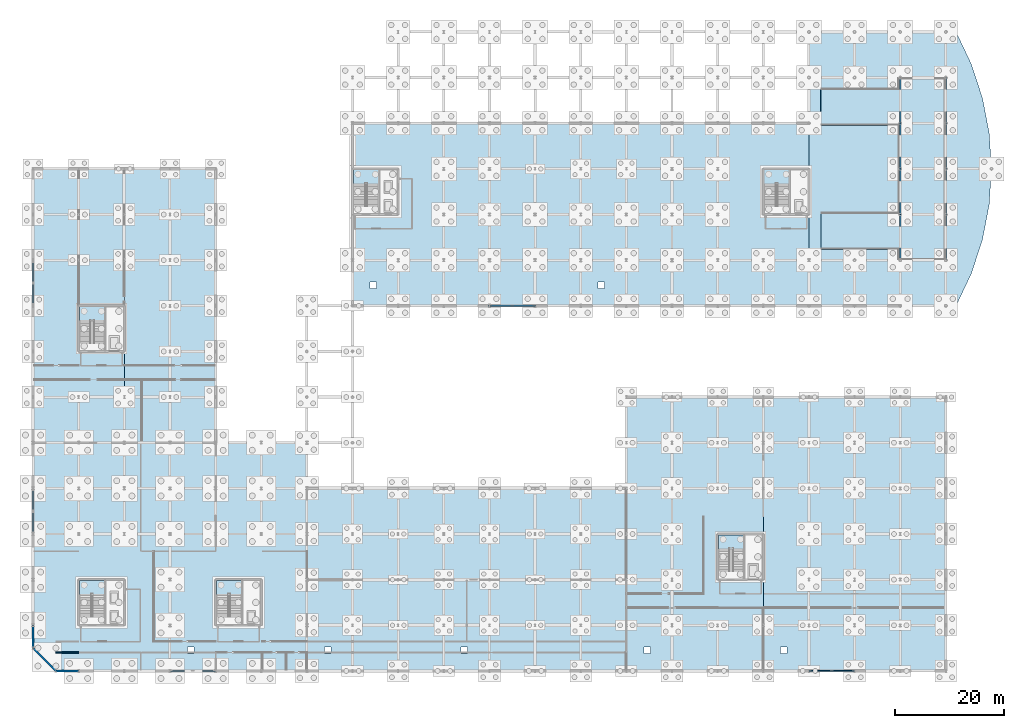
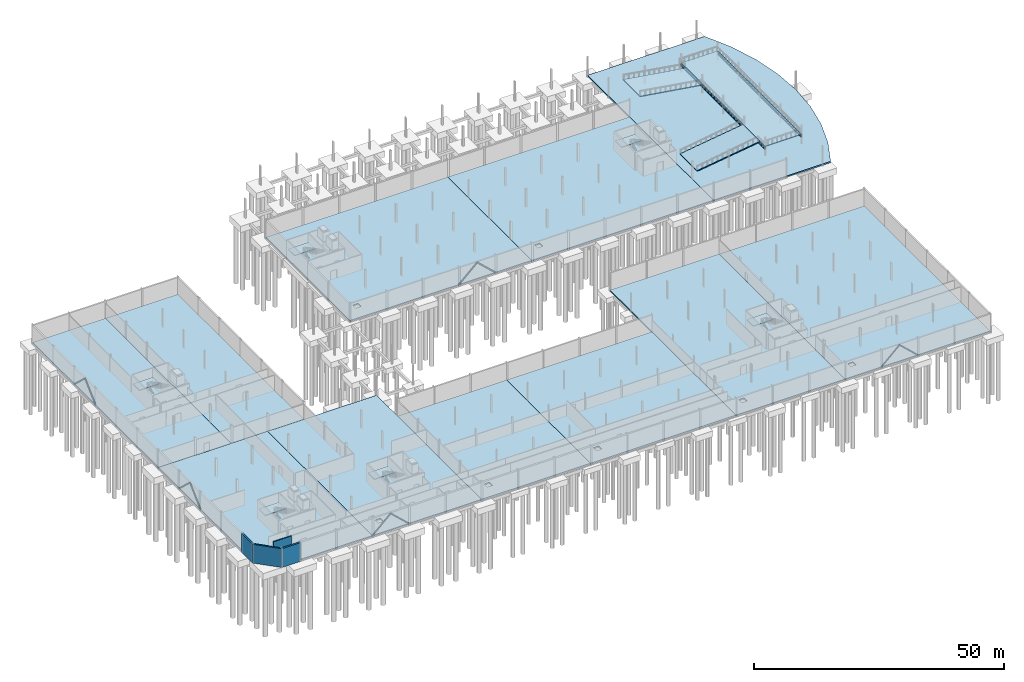
# One storey, part 30 of 51: 20 slabs, 10 members, 8 beams, 4 walls, 6 elements without a shape of their own.
"""IFC4 building model written with IfcOpenShell, lengths in metres."""

from ifc_helpers import new_model, si_unit, direction, frame, frame_2d, origin, origin_2d, place, context, subcontext, project, spatial, polyline, rectangle, hollow_rectangle, hollow_circle, i_section, outline, extrude, material, layer, layer_set, material_profile, profile_set, type_object, element, aggregate, save


model = new_model("IFC4")

# Units and contexts
model_context = context("Model", 3, precision=1e-05, world=origin(), true_north=direction((0.0, 1.0)))
body_context = subcontext(model_context, "Body", "Model", "MODEL_VIEW")
ifc_project = project(units=[si_unit("LENGTHUNIT", "METRE"), si_unit("AREAUNIT", "SQUARE_METRE"), si_unit("VOLUMEUNIT", "CUBIC_METRE"), si_unit("PLANEANGLEUNIT", "RADIAN"), si_unit("MASSUNIT", "GRAM", prefix="KILO")], contexts=[model_context])

# Site, building, storey
site_placement = place(None, origin())
site = spatial("IfcSite", under=ifc_project, at=site_placement, CompositionType="ELEMENT")
building_placement = place(site_placement, origin())
building = spatial("IfcBuilding", under=site, at=building_placement, Name="Qalvenar Corner Mobility Hub", CompositionType="ELEMENT")
storey_placement = place(building_placement, frame((0.0, 0.0, -4.5)))
storey = spatial("IfcBuildingStorey", under=building, at=storey_placement, Name="B1", CompositionType="ELEMENT", Elevation=-4.5)

# Beams
ifc_material_1 = material(Name="Steel S355", Category="steel")
ifc_material_profile_1 = material_profile(ifc_material_1, i_section(OverallWidth=0.300048828125, OverallDepth=0.489990234375, WebThickness=0.011962890625, FlangeThickness=0.02294921875, FilletRadius=0.027099609375, at=origin_2d()), Name="HEA500")
ifc_profile_set_1 = profile_set([ifc_material_profile_1], Name="Steel S355")
beam_type = type_object("IfcBeamType", Name="BM-HEA500", PredefinedType="BEAM", material=ifc_profile_set_1)
for number, where, z_axis, x_axis, name in (
    (1, (159.60009765625, 75.60009765625, 1.7470703125), (0.0, 1.0, 0.0), (-1.0, 0.0, 0.0), "Ramp Mid-Landing Girder B1-159-75"),
    (2, (159.60009765625, 84.0, 1.7470703125), (0.0, 1.0, 0.0), (-1.0, 0.0, 0.0), "Ramp Mid-Landing Girder B1-159-84"),
):
    element("IfcBeam", number, at=place(storey_placement, frame(where, z_axis=z_axis, x_axis=x_axis)), inside=storey, type_object=beam_type, Name=name, PredefinedType="BEAM", context=body_context, shape_type="SweptSolid", body=[
        extrude(i_section(OverallWidth=0.300048828125, OverallDepth=0.489990234375, WebThickness=0.011962890625, FlangeThickness=0.02294921875, FilletRadius=0.027099609375, at=origin_2d()), origin(), (0.0, 0.0, 1.0), 8.39990234375),
    ])
beam_1_placement = place(storey_placement, frame((159.60009765625, 92.39990234375, 1.7470703125), z_axis=(0.0, 1.0, 0.0), x_axis=(-1.0, 0.0, 0.0)))
element("IfcBeam", 3, at=beam_1_placement, inside=storey, type_object=beam_type, Name="Ramp Mid-Landing Girder B1-159-92", PredefinedType="BEAM", context=body_context, shape_type="SweptSolid", body=[
    extrude(i_section(OverallWidth=0.300048828125, OverallDepth=0.489990234375, WebThickness=0.011962890625, FlangeThickness=0.02294921875, FilletRadius=0.027099609375, at=origin_2d()), origin(), (0.0, 0.0, 1.0), 8.400146484375),
])
for number, where, z_axis, x_axis, name in (
    (4, (159.60009765625, 100.800048828125, 1.7470703125), (0.0, 1.0, 0.0), (-1.0, 0.0, 0.0), "Ramp Mid-Landing Girder B1-159-100"),
    (5, (168.0, 75.60009765625, 1.784912109375), (0.0, 1.0, 0.0), (-1.0, 0.0, 0.0), "Ramp Mid-Landing Girder B1-168-75"),
    (6, (168.0, 84.0, 1.784912109375), (0.0, 1.0, 0.0), (-1.0, 0.0, 0.0), "Ramp Mid-Landing Girder B1-168-84"),
):
    element("IfcBeam", number, at=place(storey_placement, frame(where, z_axis=z_axis, x_axis=x_axis)), inside=storey, type_object=beam_type, Name=name, PredefinedType="BEAM", context=body_context, shape_type="SweptSolid", body=[
        extrude(i_section(OverallWidth=0.300048828125, OverallDepth=0.489990234375, WebThickness=0.011962890625, FlangeThickness=0.02294921875, FilletRadius=0.027099609375, at=origin_2d()), origin(), (0.0, 0.0, 1.0), 8.39990234375),
    ])
beam_2_placement = place(storey_placement, frame((168.0, 92.39990234375, 1.784912109375), z_axis=(0.0, 1.0, 0.0), x_axis=(-1.0, 0.0, 0.0)))
element("IfcBeam", 7, at=beam_2_placement, inside=storey, type_object=beam_type, Name="Ramp Mid-Landing Girder B1-168-92", PredefinedType="BEAM", context=body_context, shape_type="SweptSolid", body=[
    extrude(i_section(OverallWidth=0.300048828125, OverallDepth=0.489990234375, WebThickness=0.011962890625, FlangeThickness=0.02294921875, FilletRadius=0.027099609375, at=origin_2d()), origin(), (0.0, 0.0, 1.0), 8.400146484375),
])
beam_3_placement = place(storey_placement, frame((168.0, 100.800048828125, 1.784912109375), z_axis=(0.0, 1.0, 0.0), x_axis=(-1.0, 0.0, 0.0)))
element("IfcBeam", 8, at=beam_3_placement, inside=storey, type_object=beam_type, Name="Ramp Mid-Landing Girder B1-168-100", PredefinedType="BEAM", context=body_context, shape_type="SweptSolid", body=[
    extrude(i_section(OverallWidth=0.300048828125, OverallDepth=0.489990234375, WebThickness=0.011962890625, FlangeThickness=0.02294921875, FilletRadius=0.027099609375, at=origin_2d()), origin(), (0.0, 0.0, 1.0), 8.39990234375),
])

# Members
ifc_material_profile_2 = material_profile(ifc_material_1, hollow_circle(Radius=0.096923828125, WallThickness=0.008056640625, at=origin_2d()), Name="CHS193.7x8")
ifc_profile_set_2 = profile_set([ifc_material_profile_2], Name="Steel S355")
member_type_1 = type_object("IfcMemberType", Name="BR-CHS193", PredefinedType="BRACE", material=ifc_profile_set_2)
for number, where, z_axis, x_axis, name in (
    (9, (142.800048828125, 0.0, 0.02001953125), (0.731058094572, 0.0, 0.682315222138), (0.0, 1.0, 0.0), "Chevron Lateral Brace BR-037"),
    (10, (151.199951171875, 0.0, 0.02001953125), (-0.731058094572, 0.0, 0.682315222138), (0.0, -1.0, 0.0), "Chevron Lateral Brace BR-038"),
):
    element("IfcMember", number, at=place(storey_placement, frame(where, z_axis=z_axis, x_axis=x_axis)), inside=storey, type_object=member_type_1, Name=name, PredefinedType="BRACE", context=body_context, shape_type="SweptSolid", body=[
        extrude(hollow_circle(Radius=0.096923828125, WallThickness=0.008056640625, at=origin_2d()), origin(), (0.0, 0.0, 1.0), 5.7451171875),
    ])
ifc_material_profile_3 = material_profile(ifc_material_1, hollow_circle(Radius=0.109619140625, WallThickness=0.010009765625, at=origin_2d()), Name="CHS219.1x10")
ifc_profile_set_3 = profile_set([ifc_material_profile_3], Name="Steel S355")
member_type_2 = type_object("IfcMemberType", Name="BR-CHS219", PredefinedType="BRACE", material=ifc_profile_set_3)
for number, where, z_axis, x_axis, name in (
    (11, (25.199951171875, 0.0, 0.02001953125), (0.731058094572, 0.0, 0.682315222138), (0.0, 1.0, 0.0), "Chevron Lateral Brace BR-001"),
    (12, (33.60009765625, 0.0, 0.02001953125), (-0.731077877819, 0.0, 0.682294025009), (0.0, -1.0, 0.0), "Chevron Lateral Brace BR-002"),
    (13, (0.0, 25.199951171875, 0.02001953125), (0.0, 0.731058094572, 0.682315222138), (-1.0, 0.0, 0.0), "Chevron Lateral Brace BR-011"),
    (14, (0.0, 33.60009765625, 0.02001953125), (0.0, -0.731077877819, 0.682294025009), (1.0, 0.0, 0.0), "Chevron Lateral Brace BR-012"),
):
    element("IfcMember", number, at=place(storey_placement, frame(where, z_axis=z_axis, x_axis=x_axis)), inside=storey, type_object=member_type_2, Name=name, PredefinedType="BRACE", context=body_context, shape_type="SweptSolid", body=[
        extrude(hollow_circle(Radius=0.109619140625, WallThickness=0.010009765625, at=origin_2d()), origin(), (0.0, 0.0, 1.0), 5.7451171875),
    ])
ifc_material_profile_4 = material_profile(ifc_material_1, hollow_rectangle(XDim=0.199951171875, YDim=0.199951171875, WallThickness=0.008056640625, InnerFilletRadius=0.008056640625, OuterFilletRadius=0.01611328125, at=origin_2d()), Name="SHS200x200x8")
ifc_profile_set_4 = profile_set([ifc_material_profile_4], Name="Steel S355")
member_type_3 = type_object("IfcMemberType", Name="BR-RHS200", PredefinedType="BRACE", material=ifc_profile_set_4)
for number, where, z_axis, x_axis, name in (
    (15, (0.0, 67.199951171875, 0.02001953125), (0.0, 0.731058094572, 0.682315222138), (-1.0, 0.0, 0.0), "Chevron Lateral Brace BR-045"),
    (16, (0.0, 75.60009765625, 0.02001953125), (0.0, -0.731077877819, 0.682294025009), (1.0, 0.0, 0.0), "Chevron Lateral Brace BR-046"),
):
    element("IfcMember", number, at=place(storey_placement, frame(where, z_axis=z_axis, x_axis=x_axis)), inside=storey, type_object=member_type_3, Name=name, PredefinedType="BRACE", context=body_context, shape_type="SweptSolid", body=[
        extrude(hollow_rectangle(XDim=0.199951171875, YDim=0.199951171875, WallThickness=0.008056640625, InnerFilletRadius=0.008056640625, OuterFilletRadius=0.01611328125, at=origin_2d()), origin(), (0.0, 0.0, 1.0), 5.7451171875),
    ])
ifc_material_profile_5 = material_profile(ifc_material_1, hollow_rectangle(XDim=0.14990234375, YDim=0.25, WallThickness=0.010009765625, InnerFilletRadius=0.010009765625, OuterFilletRadius=0.02001953125, at=origin_2d()), Name="RHS250x150x10")
ifc_profile_set_5 = profile_set([ifc_material_profile_5], Name="Steel S355")
member_type_4 = type_object("IfcMemberType", Name="BR-RHS250", PredefinedType="BRACE", material=ifc_profile_set_5)
for number, where, z_axis, x_axis, name in (
    (17, (84.0, 67.199951171875, 0.02001953125), (0.731058094572, 0.0, 0.682315222138), (0.0, 1.0, 0.0), "Chevron Lateral Brace BR-021"),
    (18, (92.39990234375, 67.199951171875, 0.02001953125), (-0.731058094572, 0.0, 0.682315222138), (0.0, -1.0, 0.0), "Chevron Lateral Brace BR-022"),
):
    element("IfcMember", number, at=place(storey_placement, frame(where, z_axis=z_axis, x_axis=x_axis)), inside=storey, type_object=member_type_4, Name=name, PredefinedType="BRACE", context=body_context, shape_type="SweptSolid", body=[
        extrude(hollow_rectangle(XDim=0.14990234375, YDim=0.25, WallThickness=0.010009765625, InnerFilletRadius=0.010009765625, OuterFilletRadius=0.02001953125, at=origin_2d()), origin(), (0.0, 0.0, 1.0), 5.7451171875),
    ])

# Slabs
ifc_material_2 = material(Name="Concrete C35/45", Category="concrete")
ifc_layer_1 = layer(ifc_material_2, 0.300048828125)
ifc_layer_set_1 = layer_set([ifc_layer_1], Name="Concrete C35/45")
slab_type_1 = type_object("IfcSlabType", Name="SLB-BASE300", PredefinedType="BASESLAB", material=ifc_layer_set_1)
slab_1_placement = place(storey_placement, frame((0.0, 0.0, -0.300048828125)))
element("IfcSlab", 19, at=slab_1_placement, inside=storey, type_object=slab_type_1, Name="Composite Slab V3-A-B1", PredefinedType="BASESLAB", context=body_context, shape_type="SweptSolid", body=[
    extrude(outline(polyline([(4.199951171875, 0.0), (25.199951171875, 0.0), (25.199951171875, 42.0), (0.0, 42.0), (0.0, 4.199951171875), (4.199951171875, 0.0)]), holes=[polyline([(3.199951171875, 3.199951171875), (4.39990234375, 3.199951171875), (4.39990234375, 4.39990234375), (3.199951171875, 4.39990234375), (3.199951171875, 3.199951171875)])]), origin(), (0.0, 0.0, 1.0), 0.300048828125),
])
slab_2_placement = place(storey_placement, frame((0.0, 0.0, -0.300048828125)))
element("IfcSlab", 20, at=slab_2_placement, inside=storey, type_object=slab_type_1, Name="Composite Slab V3-B-B1", PredefinedType="BASESLAB", context=body_context, shape_type="SweptSolid", body=[
    extrude(outline(polyline([(25.199951171875, 0.0), (50.39990234375, 0.0), (50.39990234375, 42.0), (25.199951171875, 42.0), (25.199951171875, 0.0)]), holes=[polyline([(28.39990234375, 3.199951171875), (29.60009765625, 3.199951171875), (29.60009765625, 4.39990234375), (28.39990234375, 4.39990234375), (28.39990234375, 3.199951171875)])]), origin(), (0.0, 0.0, 1.0), 0.300048828125),
])
slab_3_placement = place(storey_placement, frame((0.0, 0.0, -0.300048828125)))
element("IfcSlab", 21, at=slab_3_placement, inside=storey, type_object=slab_type_1, Name="Composite Slab V6-A-B1", PredefinedType="BASESLAB", context=body_context, shape_type="SweptSolid", body=[
    extrude(outline(polyline([(109.199951171875, 0.0), (134.39990234375, 0.0), (134.39990234375, 50.39990234375), (109.199951171875, 50.39990234375), (109.199951171875, 0.0)]), holes=[polyline([(112.39990234375, 3.199951171875), (113.60009765625, 3.199951171875), (113.60009765625, 4.39990234375), (112.39990234375, 4.39990234375), (112.39990234375, 3.199951171875)])]), origin(), (0.0, 0.0, 1.0), 0.300048828125),
])
slab_4_placement = place(storey_placement, frame((0.0, 0.0, -0.300048828125)))
element("IfcSlab", 22, at=slab_4_placement, inside=storey, type_object=slab_type_1, Name="Composite Slab V6-B-B1", PredefinedType="BASESLAB", context=body_context, shape_type="SweptSolid", body=[
    extrude(outline(polyline([(134.39990234375, 0.0), (168.0, 0.0), (168.0, 50.39990234375), (134.39990234375, 50.39990234375), (134.39990234375, 0.0)]), holes=[polyline([(137.60009765625, 3.199951171875), (138.800048828125, 3.199951171875), (138.800048828125, 4.39990234375), (137.60009765625, 4.39990234375), (137.60009765625, 3.199951171875)])]), origin(), (0.0, 0.0, 1.0), 0.300048828125),
])
slab_5_placement = place(storey_placement, frame((0.0, 0.0, -0.300048828125)))
element("IfcSlab", 23, at=slab_5_placement, inside=storey, type_object=slab_type_1, Name="Composite Slab V5-A-B1", PredefinedType="BASESLAB", context=body_context, shape_type="SweptSolid", body=[
    extrude(outline(polyline([(0.0, 42.0), (16.800048828125, 42.0), (16.800048828125, 92.39990234375), (0.0, 92.39990234375), (0.0, 42.0)])), origin(), (0.0, 0.0, 1.0), 0.300048828125),
])
slab_6_placement = place(storey_placement, frame((0.0, 0.0, -0.300048828125)))
element("IfcSlab", 24, at=slab_6_placement, inside=storey, type_object=slab_type_1, Name="Composite Slab V5-B-B1", PredefinedType="BASESLAB", context=body_context, shape_type="SweptSolid", body=[
    extrude(outline(polyline([(16.800048828125, 42.0), (33.60009765625, 42.0), (33.60009765625, 92.39990234375), (16.800048828125, 92.39990234375), (16.800048828125, 42.0)])), origin(), (0.0, 0.0, 1.0), 0.300048828125),
])
slab_7_placement = place(storey_placement, frame((0.0, 0.0, -0.300048828125)))
element("IfcSlab", 25, at=slab_7_placement, inside=storey, type_object=slab_type_1, Name="Composite Slab V4-A-B1", PredefinedType="BASESLAB", context=body_context, shape_type="SweptSolid", body=[
    extrude(outline(polyline([(58.800048828125, 67.199951171875), (100.800048828125, 67.199951171875), (100.800048828125, 100.800048828125), (58.800048828125, 100.800048828125), (58.800048828125, 67.199951171875)]), holes=[polyline([(62.0, 70.39990234375), (63.199951171875, 70.39990234375), (63.199951171875, 71.60009765625), (62.0, 71.60009765625), (62.0, 70.39990234375)])]), origin(), (0.0, 0.0, 1.0), 0.300048828125),
])
slab_8_placement = place(storey_placement, frame((0.0, 0.0, -0.300048828125)))
element("IfcSlab", 26, at=slab_8_placement, inside=storey, type_object=slab_type_1, Name="Composite Slab V4-B-B1", PredefinedType="BASESLAB", context=body_context, shape_type="SweptSolid", body=[
    extrude(outline(polyline([(100.800048828125, 67.199951171875), (142.800048828125, 67.199951171875), (142.800048828125, 100.800048828125), (100.800048828125, 100.800048828125), (100.800048828125, 67.199951171875)]), holes=[polyline([(104.0, 70.39990234375), (105.199951171875, 70.39990234375), (105.199951171875, 71.60009765625), (104.0, 71.60009765625), (104.0, 70.39990234375)])]), origin(), (0.0, 0.0, 1.0), 0.300048828125),
])
slab_9_placement = place(storey_placement, frame((0.0, 0.0, -0.300048828125)))
element("IfcSlab", 27, at=slab_9_placement, inside=storey, type_object=slab_type_1, Name="Rotunda Floor Slab V2-B1", PredefinedType="BASESLAB", context=body_context, shape_type="SweptSolid", body=[
    extrude(outline(polyline([(142.800048828125, 67.199951171875), (169.8857421875, 67.199951171875), (172.701416015625, 73.13916015625), (174.7451171875, 79.3857421875), (175.984619140625, 85.840576171875), (176.39990234375, 92.39990234375), (175.984619140625, 98.95947265625), (174.7451171875, 105.414306640625), (172.701416015625, 111.660888671875), (169.8857421875, 117.60009765625), (142.800048828125, 117.60009765625), (142.800048828125, 67.199951171875)])), origin(), (0.0, 0.0, 1.0), 0.300048828125),
])
ifc_layer_2 = layer(ifc_material_2, 0.35009765625)
ifc_layer_set_2 = layer_set([ifc_layer_2], Name="Concrete C35/45")
slab_type_2 = type_object("IfcSlabType", Name="SLB-BASE350", PredefinedType="BASESLAB", material=ifc_layer_set_2)
slab_10_placement = place(storey_placement, frame((0.0, 0.0, -0.35009765625)))
element("IfcSlab", 28, at=slab_10_placement, inside=storey, type_object=slab_type_2, Name="Composite Slab V1-A-B1", PredefinedType="BASESLAB", context=body_context, shape_type="SweptSolid", body=[
    extrude(outline(polyline([(50.39990234375, 0.0), (75.60009765625, 0.0), (75.60009765625, 33.60009765625), (50.39990234375, 33.60009765625), (50.39990234375, 0.0)]), holes=[polyline([(53.60009765625, 3.199951171875), (54.800048828125, 3.199951171875), (54.800048828125, 4.39990234375), (53.60009765625, 4.39990234375), (53.60009765625, 3.199951171875)])]), origin(), (0.0, 0.0, 1.0), 0.35009765625),
])
slab_11_placement = place(storey_placement, frame((0.0, 0.0, -0.35009765625)))
element("IfcSlab", 29, at=slab_11_placement, inside=storey, type_object=slab_type_2, Name="Composite Slab V1-B-B1", PredefinedType="BASESLAB", context=body_context, shape_type="SweptSolid", body=[
    extrude(outline(polyline([(75.60009765625, 0.0), (109.199951171875, 0.0), (109.199951171875, 33.60009765625), (75.60009765625, 33.60009765625), (75.60009765625, 0.0)]), holes=[polyline([(78.800048828125, 3.199951171875), (80.0, 3.199951171875), (80.0, 4.39990234375), (78.800048828125, 4.39990234375), (78.800048828125, 3.199951171875)])]), origin(), (0.0, 0.0, 1.0), 0.35009765625),
])

# Stair, slab
stair_type_1 = type_object("IfcStairType", Name="STR-220-H45", PredefinedType="HALF_TURN_STAIR", material=ifc_material_2)
stair_1_placement = place(storey_placement, origin())
stair_1 = element("IfcStair", 30, at=stair_1_placement, inside=storey, type_object=stair_type_1, Name="Exit Stair ST1 B1-L00", PredefinedType="HALF_TURN_STAIR")
ifc_layer_3 = layer(ifc_material_2, 0.179931640625)
ifc_layer_set_3 = layer_set([ifc_layer_3], Name="Concrete C35/45")
slab_type_3 = type_object("IfcSlabType", Name="SLB-LND180", PredefinedType="LANDING", material=ifc_layer_set_3)
slab_12_placement = place(storey_placement, frame((0.0, 0.0, 2.070068359375)))
slab_12 = element("IfcSlab", 31, at=slab_12_placement, type_object=slab_type_3, Name="ST1 landing 1", PredefinedType="LANDING", context=body_context, shape_type="SweptSolid", body=[
    extrude(outline(polyline([(8.5400390625, 14.050048828125), (13.179931640625, 14.050048828125), (13.179931640625, 16.659912109375), (8.5400390625, 16.659912109375), (8.5400390625, 14.050048828125)])), origin(), (0.0, 0.0, 1.0), 0.179931640625),
])
aggregate(stair_1, [slab_12])

stair_type_2 = type_object("IfcStairType", Name="STR-200-H45", PredefinedType="HALF_TURN_STAIR", material=ifc_material_2)
stair_2_placement = place(storey_placement, origin())
stair_2 = element("IfcStair", 32, at=stair_2_placement, inside=storey, type_object=stair_type_2, Name="Exit Stair ST2 B1-L00", PredefinedType="HALF_TURN_STAIR")
slab_13_placement = place(storey_placement, frame((0.0, 0.0, 2.070068359375)))
slab_13 = element("IfcSlab", 33, at=slab_13_placement, type_object=slab_type_3, Name="ST2 landing 1", PredefinedType="LANDING", context=body_context, shape_type="SweptSolid", body=[
    extrude(outline(polyline([(33.739990234375, 14.050048828125), (38.3798828125, 14.050048828125), (38.3798828125, 16.659912109375), (33.739990234375, 16.659912109375), (33.739990234375, 14.050048828125)])), origin(), (0.0, 0.0, 1.0), 0.179931640625),
])
aggregate(stair_2, [slab_13])

stair_3_placement = place(storey_placement, origin())
stair_3 = element("IfcStair", 34, at=stair_3_placement, inside=storey, type_object=stair_type_2, Name="Exit Stair ST3 B1-L00", PredefinedType="HALF_TURN_STAIR")
slab_14_placement = place(storey_placement, frame((0.0, 0.0, 2.070068359375)))
slab_14 = element("IfcSlab", 35, at=slab_14_placement, type_object=slab_type_3, Name="ST3 landing 1", PredefinedType="LANDING", context=body_context, shape_type="SweptSolid", body=[
    extrude(outline(polyline([(58.93994140625, 89.64990234375), (63.580078125, 89.64990234375), (63.580078125, 92.260009765625), (58.93994140625, 92.260009765625), (58.93994140625, 89.64990234375)])), origin(), (0.0, 0.0, 1.0), 0.179931640625),
])
aggregate(stair_3, [slab_14])

stair_4_placement = place(storey_placement, origin())
stair_4 = element("IfcStair", 36, at=stair_4_placement, inside=storey, type_object=stair_type_2, Name="Exit Stair ST4 B1-L00", PredefinedType="HALF_TURN_STAIR")
slab_15_placement = place(storey_placement, frame((0.0, 0.0, 2.070068359375)))
slab_15 = element("IfcSlab", 37, at=slab_15_placement, type_object=slab_type_3, Name="ST4 landing 1", PredefinedType="LANDING", context=body_context, shape_type="SweptSolid", body=[
    extrude(outline(polyline([(134.5400390625, 89.64990234375), (139.179931640625, 89.64990234375), (139.179931640625, 92.260009765625), (134.5400390625, 92.260009765625), (134.5400390625, 89.64990234375)])), origin(), (0.0, 0.0, 1.0), 0.179931640625),
])
aggregate(stair_4, [slab_15])

stair_5_placement = place(storey_placement, origin())
stair_5 = element("IfcStair", 38, at=stair_5_placement, inside=storey, type_object=stair_type_2, Name="Exit Stair ST5 B1-L00", PredefinedType="HALF_TURN_STAIR")
slab_16_placement = place(storey_placement, frame((0.0, 0.0, 2.070068359375)))
slab_16 = element("IfcSlab", 39, at=slab_16_placement, type_object=slab_type_3, Name="ST5 landing 1", PredefinedType="LANDING", context=body_context, shape_type="SweptSolid", body=[
    extrude(outline(polyline([(8.5400390625, 64.449951171875), (13.179931640625, 64.449951171875), (13.179931640625, 67.06005859375), (8.5400390625, 67.06005859375), (8.5400390625, 64.449951171875)])), origin(), (0.0, 0.0, 1.0), 0.179931640625),
])
aggregate(stair_5, [slab_16])

stair_6_placement = place(storey_placement, origin())
stair_6 = element("IfcStair", 40, at=stair_6_placement, inside=storey, type_object=stair_type_2, Name="Exit Stair ST6 B1-L00", PredefinedType="HALF_TURN_STAIR")
slab_17_placement = place(storey_placement, frame((0.0, 0.0, 2.070068359375)))
slab_17 = element("IfcSlab", 41, at=slab_17_placement, type_object=slab_type_3, Name="ST6 landing 1", PredefinedType="LANDING", context=body_context, shape_type="SweptSolid", body=[
    extrude(outline(polyline([(126.139892578125, 22.449951171875), (130.780029296875, 22.449951171875), (130.780029296875, 25.06005859375), (126.139892578125, 25.06005859375), (126.139892578125, 22.449951171875)])), origin(), (0.0, 0.0, 1.0), 0.179931640625),
])
aggregate(stair_6, [slab_17])

# Slabs
ifc_layer_4 = layer(ifc_material_2, 0.219970703125)
ifc_layer_set_4 = layer_set([ifc_layer_4], Name="Concrete C35/45")
slab_type_4 = type_object("IfcSlabType", Name="SLB-RLND220", PredefinedType="FLOOR", material=ifc_layer_set_4)
slab_18_placement = place(storey_placement, frame((0.0, 0.0, 2.030029296875)))
element("IfcSlab", 42, at=slab_18_placement, inside=storey, type_object=slab_type_4, Name="Vehicle Circulation Ramp Mid-Landing B1-L00", PredefinedType="FLOOR", context=body_context, shape_type="SweptSolid", body=[
    extrude(outline(polyline([(159.5400390625, 75.60009765625), (168.0, 75.60009765625), (168.0, 109.199951171875), (159.5400390625, 109.199951171875), (159.5400390625, 75.60009765625)])), origin(), (0.0, 0.0, 1.0), 0.219970703125),
])
ifc_material_3 = material(Name="Concrete C35/45", Category="concrete")
ifc_layer_5 = layer(ifc_material_3, 0.22509765625)
ifc_layer_set_5 = layer_set([ifc_layer_5], Name="Concrete C35/45")
slab_type_5 = type_object("IfcSlabType", Name="SLB-VRMP225", PredefinedType="FLOOR", material=ifc_layer_set_5)
slab_19_placement = place(storey_placement, frame((145.0, 77.60009765625, 0.14990234375), z_axis=(-0.142375980845, 0.0, 0.989812648979), x_axis=(0.989812648979, 0.0, 0.142375980845)))
element("IfcSlab", 43, at=slab_19_placement, inside=storey, type_object=slab_type_5, Name="Vehicle Circulation Ramp Structural Slab B1-L00 Lower", PredefinedType="FLOOR", context=body_context, shape_type="SweptSolid", body=[
    extrude(outline(polyline([(0.0, 0.0), (14.750364800160826, 0.0), (14.750364800160826, 6.799804687500002), (0.0, 6.799804687500002), (0.0, 0.0)])), origin(), (0.0, 0.0, -1.0), 0.22509765625),
])
slab_20_placement = place(storey_placement, frame((159.60009765625, 100.39990234375, 2.25), z_axis=(0.152310525735, 0.0, 0.9883326888), x_axis=(-0.9883326888, 0.0, 0.152310525735)))
element("IfcSlab", 44, at=slab_20_placement, inside=storey, type_object=slab_type_5, Name="Vehicle Circulation Ramp Structural Slab B1-L00 Upper", PredefinedType="FLOOR", context=body_context, shape_type="SweptSolid", body=[
    extrude(outline(polyline([(0.0, 0.0), (14.772452456245603, 0.0), (14.772452456245603, -6.800048828125), (0.0, -6.800048828125), (0.0, 0.0)])), origin(), (0.0, 0.0, -1.0), 0.22509765625),
])

# Walls
ifc_material_4 = material(Name="Concrete Blockwork Masonry", Category="masonry")
ifc_layer_6 = layer(ifc_material_4, 0.219970703125)
ifc_layer_set_6 = layer_set([ifc_layer_6], Name="Concrete Blockwork Masonry")
wall_type_1 = type_object("IfcWallType", Name="WL-FIRE220", PredefinedType="PARTITIONING", material=ifc_layer_set_6)
wall_1_placement = place(storey_placement, frame((4.199951171875, 3.39990234375, 0.0), z_axis=(0.0, 0.0, 1.0), x_axis=(1.0, 0.0, 0.0)))
element("IfcWall", 45, at=wall_1_placement, inside=storey, type_object=wall_type_1, Name="Interior Partition PRT-B1-001", PredefinedType="PARTITIONING", context=body_context, shape_type="SweptSolid", body=[
    extrude(rectangle(XDim=4.199951171875, YDim=0.219970703125, at=frame_2d((2.10009765625, 0.0))), origin(), (0.0, 0.0, 1.0), 3.800048828125),
])
ifc_material_5 = material(Name="Concrete C40/50", Category="concrete")
ifc_layer_7 = layer(ifc_material_5, 0.35009765625)
ifc_layer_set_7 = layer_set([ifc_layer_7], Name="Concrete C40/50")
wall_type_2 = type_object("IfcWallType", Name="WL-RET350", PredefinedType="SOLIDWALL", material=ifc_layer_set_7)
wall_2_placement = place(storey_placement, frame((0.0, 8.39990234375, -0.35009765625), z_axis=(0.0, 0.0, 1.0), x_axis=(0.0, -1.0, 0.0)))
element("IfcWall", 46, at=wall_2_placement, inside=storey, type_object=wall_type_2, Name="Basement Retaining Wall BW-051", PredefinedType="SOLIDWALL", context=body_context, shape_type="SweptSolid", body=[
    extrude(rectangle(XDim=4.199951171875, YDim=0.35009765625, at=frame_2d((2.10009765625, 0.0))), origin(), (0.0, 0.0, 1.0), 4.60009765625),
])
wall_3_placement = place(storey_placement, frame((0.0, 4.199951171875, -0.35009765625), z_axis=(0.0, 0.0, 1.0), x_axis=(0.707106781187, -0.707106781187, 0.0)))
element("IfcWall", 47, at=wall_3_placement, inside=storey, type_object=wall_type_2, Name="Basement Retaining Wall BW-052", PredefinedType="SOLIDWALL", context=body_context, shape_type="SweptSolid", body=[
    extrude(rectangle(XDim=5.939697265625, YDim=0.35009765625, at=frame_2d((2.9697265625, 0.0))), origin(), (0.0, 0.0, 1.0), 4.60009765625),
])
ifc_layer_8 = layer(ifc_material_5, 0.39990234375)
ifc_layer_set_8 = layer_set([ifc_layer_8], Name="Concrete C40/50")
wall_type_3 = type_object("IfcWallType", Name="WL-RET400", PredefinedType="SOLIDWALL", material=ifc_layer_set_8)
wall_4_placement = place(storey_placement, frame((4.199951171875, 0.0, -0.35009765625), z_axis=(0.0, 0.0, 1.0), x_axis=(1.0, 0.0, 0.0)))
element("IfcWall", 48, at=wall_4_placement, inside=storey, type_object=wall_type_3, Name="Basement Retaining Wall BW-001", PredefinedType="SOLIDWALL", context=body_context, shape_type="SweptSolid", body=[
    extrude(rectangle(XDim=4.199951171875, YDim=0.39990234375, at=frame_2d((2.10009765625, 0.0))), origin(), (0.0, 0.0, 1.0), 4.60009765625),
])

save(model, "model.ifc")
